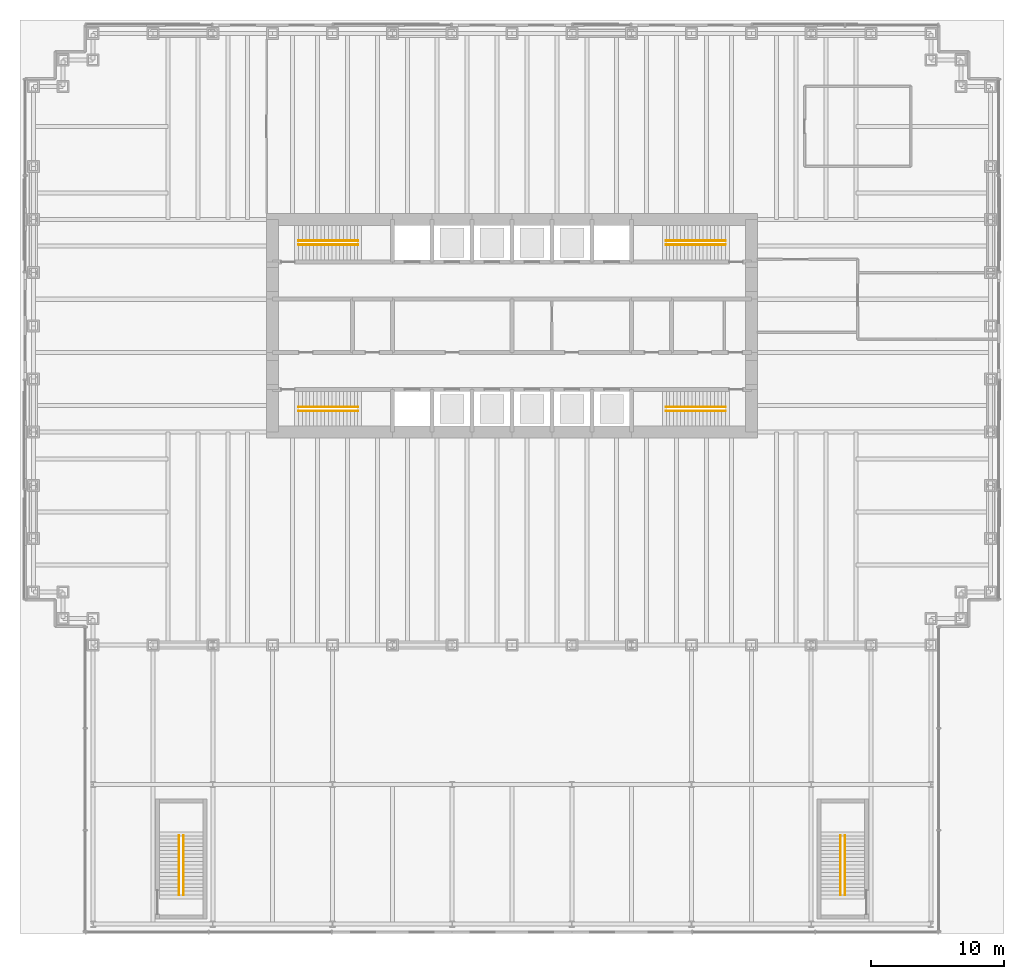
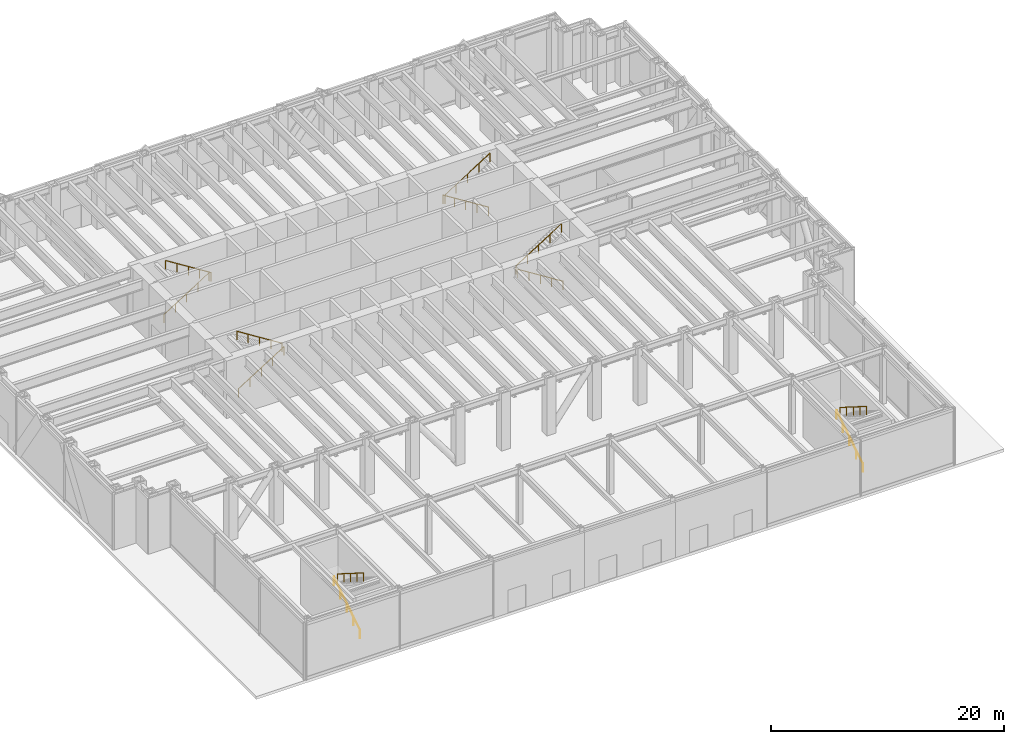
# One storey, part 16 of 17: 12 railings.
"""IFC4 building model written with IfcOpenShell, lengths in metres."""

from ifc_helpers import new_model, si_unit, direction, frame, origin, origin_2d, place, context, subcontext, project, spatial, circle, extrude, material, type_object, element, save


model = new_model("IFC4")

# Units and contexts
model_context = context("Model", 3, precision=1e-05, world=origin(), true_north=direction((0.0, 1.0)))
body_context = subcontext(model_context, "Body", "Model", "MODEL_VIEW")
ifc_project = project(units=[si_unit("LENGTHUNIT", "METRE"), si_unit("AREAUNIT", "SQUARE_METRE"), si_unit("VOLUMEUNIT", "CUBIC_METRE"), si_unit("PLANEANGLEUNIT", "RADIAN"), si_unit("MASSUNIT", "GRAM", prefix="KILO")], contexts=[model_context])

# Site, building, storey
site_placement = place(None, origin())
site = spatial("IfcSite", under=ifc_project, at=site_placement, CompositionType="ELEMENT")
building_placement = place(site_placement, origin())
building = spatial("IfcBuilding", under=site, at=building_placement, Name="Rheinbord Bourse Tower", CompositionType="ELEMENT")
storey_placement = place(building_placement, origin())
storey = spatial("IfcBuildingStorey", under=building, at=storey_placement, Name="L00", CompositionType="ELEMENT", Elevation=0.0)

# Railings
ifc_material = material(Name="Steel handrail", Category="steel")
railing_type = type_object("IfcRailingType", Name="HANDRAIL 900", PredefinedType="HANDRAIL", material=ifc_material)
railing_1_placement = place(storey_placement, frame((19.949951171875, 17.60009765625, 0.176025390625)))
element("IfcRailing", 1, at=railing_1_placement, inside=storey, type_object=railing_type, Name="Handrail", PredefinedType="HANDRAIL", context=body_context, shape_type="SweptSolid", body=[
    extrude(circle(Radius=0.02392578125, at=origin_2d()), frame((0.0, 0.0, 0.8759765625), z_axis=(0.845956345692, 0.0, 0.533252155347), x_axis=(0.0, 1.0, 0.0)), (0.0, 0.0, 1.0), 5.295654296875),
    extrude(circle(Radius=0.02099609375, at=origin_2d()), origin(), (0.0, 0.0, 1.0), 0.851806640625),
    extrude(circle(Radius=0.02099609375, at=origin_2d()), frame((1.1201171875, 0.0, 0.7060546875)), (0.0, 0.0, 1.0), 0.851806640625),
    extrude(circle(Radius=0.02099609375, at=origin_2d()), frame((2.239990234375, 0.0, 1.412109375)), (0.0, 0.0, 1.0), 0.851806640625),
    extrude(circle(Radius=0.02099609375, at=origin_2d()), frame((3.35986328125, 0.0, 2.117919921875)), (0.0, 0.0, 1.0), 0.851806640625),
    extrude(circle(Radius=0.02099609375, at=origin_2d()), frame((4.47998046875, 0.0, 2.823974609375)), (0.0, 0.0, 1.0), 0.851806640625),
])
railing_2_placement = place(storey_placement, frame((24.429931640625, 17.89990234375, 3.176025390625)))
element("IfcRailing", 2, at=railing_2_placement, inside=storey, type_object=railing_type, Name="Handrail", PredefinedType="HANDRAIL", context=body_context, shape_type="SweptSolid", body=[
    extrude(circle(Radius=0.02392578125, at=origin_2d()), frame((0.0, 0.0, 0.8759765625), z_axis=(-0.845956345692, 0.0, 0.533252155347), x_axis=(0.0, -1.0, 0.0)), (0.0, 0.0, 1.0), 5.295654296875),
    extrude(circle(Radius=0.02099609375, at=origin_2d()), origin(), (0.0, 0.0, 1.0), 0.851806640625),
    extrude(circle(Radius=0.02099609375, at=origin_2d()), frame((-1.1201171875, 0.0, 0.7060546875)), (0.0, 0.0, 1.0), 0.851806640625),
    extrude(circle(Radius=0.02099609375, at=origin_2d()), frame((-2.239990234375, 0.0, 1.412109375)), (0.0, 0.0, 1.0), 0.851806640625),
    extrude(circle(Radius=0.02099609375, at=origin_2d()), frame((-3.35986328125, 0.0, 2.117919921875)), (0.0, 0.0, 1.0), 0.851806640625),
    extrude(circle(Radius=0.02099609375, at=origin_2d()), frame((-4.47998046875, 0.0, 2.823974609375)), (0.0, 0.0, 1.0), 0.851806640625),
])
railing_3_placement = place(storey_placement, frame((19.949951171875, 30.39990234375, 0.176025390625)))
element("IfcRailing", 3, at=railing_3_placement, inside=storey, type_object=railing_type, Name="Handrail", PredefinedType="HANDRAIL", context=body_context, shape_type="SweptSolid", body=[
    extrude(circle(Radius=0.02392578125, at=origin_2d()), frame((0.0, 0.0, 0.8759765625), z_axis=(0.845956345692, 0.0, 0.533252155347), x_axis=(0.0, 1.0, 0.0)), (0.0, 0.0, 1.0), 5.295654296875),
    extrude(circle(Radius=0.02099609375, at=origin_2d()), origin(), (0.0, 0.0, 1.0), 0.851806640625),
    extrude(circle(Radius=0.02099609375, at=origin_2d()), frame((1.1201171875, 0.0, 0.7060546875)), (0.0, 0.0, 1.0), 0.851806640625),
    extrude(circle(Radius=0.02099609375, at=origin_2d()), frame((2.239990234375, 0.0, 1.412109375)), (0.0, 0.0, 1.0), 0.851806640625),
    extrude(circle(Radius=0.02099609375, at=origin_2d()), frame((3.35986328125, 0.0, 2.117919921875)), (0.0, 0.0, 1.0), 0.851806640625),
    extrude(circle(Radius=0.02099609375, at=origin_2d()), frame((4.47998046875, 0.0, 2.823974609375)), (0.0, 0.0, 1.0), 0.851806640625),
])
for number, where, name in (
    (4, (24.429931640625, 30.10009765625, 3.176025390625), "Handrail"),
    (5, (52.050048828125, 17.60009765625, 0.176025390625), "Handrail"),
):
    element("IfcRailing", number, at=place(storey_placement, frame(where)), inside=storey, type_object=railing_type, Name=name, PredefinedType="HANDRAIL", context=body_context, shape_type="SweptSolid", body=[
        extrude(circle(Radius=0.02392578125, at=origin_2d()), frame((0.0, 0.0, 0.8759765625), z_axis=(-0.845956345692, 0.0, 0.533252155347), x_axis=(0.0, -1.0, 0.0)), (0.0, 0.0, 1.0), 5.295654296875),
        extrude(circle(Radius=0.02099609375, at=origin_2d()), origin(), (0.0, 0.0, 1.0), 0.851806640625),
        extrude(circle(Radius=0.02099609375, at=origin_2d()), frame((-1.1201171875, 0.0, 0.7060546875)), (0.0, 0.0, 1.0), 0.851806640625),
        extrude(circle(Radius=0.02099609375, at=origin_2d()), frame((-2.239990234375, 0.0, 1.412109375)), (0.0, 0.0, 1.0), 0.851806640625),
        extrude(circle(Radius=0.02099609375, at=origin_2d()), frame((-3.35986328125, 0.0, 2.117919921875)), (0.0, 0.0, 1.0), 0.851806640625),
        extrude(circle(Radius=0.02099609375, at=origin_2d()), frame((-4.47998046875, 0.0, 2.823974609375)), (0.0, 0.0, 1.0), 0.851806640625),
    ])
railing_4_placement = place(storey_placement, frame((47.570068359375, 17.89990234375, 3.176025390625)))
element("IfcRailing", 6, at=railing_4_placement, inside=storey, type_object=railing_type, Name="Handrail", PredefinedType="HANDRAIL", context=body_context, shape_type="SweptSolid", body=[
    extrude(circle(Radius=0.02392578125, at=origin_2d()), frame((0.0, 0.0, 0.8759765625), z_axis=(0.845956345692, 0.0, 0.533252155347), x_axis=(0.0, 1.0, 0.0)), (0.0, 0.0, 1.0), 5.295654296875),
    extrude(circle(Radius=0.02099609375, at=origin_2d()), origin(), (0.0, 0.0, 1.0), 0.851806640625),
    extrude(circle(Radius=0.02099609375, at=origin_2d()), frame((1.1201171875, 0.0, 0.7060546875)), (0.0, 0.0, 1.0), 0.851806640625),
    extrude(circle(Radius=0.02099609375, at=origin_2d()), frame((2.239990234375, 0.0, 1.412109375)), (0.0, 0.0, 1.0), 0.851806640625),
    extrude(circle(Radius=0.02099609375, at=origin_2d()), frame((3.35986328125, 0.0, 2.117919921875)), (0.0, 0.0, 1.0), 0.851806640625),
    extrude(circle(Radius=0.02099609375, at=origin_2d()), frame((4.47998046875, 0.0, 2.823974609375)), (0.0, 0.0, 1.0), 0.851806640625),
])
railing_5_placement = place(storey_placement, frame((52.050048828125, 30.39990234375, 0.176025390625)))
element("IfcRailing", 7, at=railing_5_placement, inside=storey, type_object=railing_type, Name="Handrail", PredefinedType="HANDRAIL", context=body_context, shape_type="SweptSolid", body=[
    extrude(circle(Radius=0.02392578125, at=origin_2d()), frame((0.0, 0.0, 0.8759765625), z_axis=(-0.845956345692, 0.0, 0.533252155347), x_axis=(0.0, -1.0, 0.0)), (0.0, 0.0, 1.0), 5.295654296875),
    extrude(circle(Radius=0.02099609375, at=origin_2d()), origin(), (0.0, 0.0, 1.0), 0.851806640625),
    extrude(circle(Radius=0.02099609375, at=origin_2d()), frame((-1.1201171875, 0.0, 0.7060546875)), (0.0, 0.0, 1.0), 0.851806640625),
    extrude(circle(Radius=0.02099609375, at=origin_2d()), frame((-2.239990234375, 0.0, 1.412109375)), (0.0, 0.0, 1.0), 0.851806640625),
    extrude(circle(Radius=0.02099609375, at=origin_2d()), frame((-3.35986328125, 0.0, 2.117919921875)), (0.0, 0.0, 1.0), 0.851806640625),
    extrude(circle(Radius=0.02099609375, at=origin_2d()), frame((-4.47998046875, 0.0, 2.823974609375)), (0.0, 0.0, 1.0), 0.851806640625),
])
railing_6_placement = place(storey_placement, frame((47.570068359375, 30.10009765625, 3.176025390625)))
element("IfcRailing", 8, at=railing_6_placement, inside=storey, type_object=railing_type, Name="Handrail", PredefinedType="HANDRAIL", context=body_context, shape_type="SweptSolid", body=[
    extrude(circle(Radius=0.02392578125, at=origin_2d()), frame((0.0, 0.0, 0.8759765625), z_axis=(0.845956345692, 0.0, 0.533252155347), x_axis=(0.0, 1.0, 0.0)), (0.0, 0.0, 1.0), 5.295654296875),
    extrude(circle(Radius=0.02099609375, at=origin_2d()), origin(), (0.0, 0.0, 1.0), 0.851806640625),
    extrude(circle(Radius=0.02099609375, at=origin_2d()), frame((1.1201171875, 0.0, 0.7060546875)), (0.0, 0.0, 1.0), 0.851806640625),
    extrude(circle(Radius=0.02099609375, at=origin_2d()), frame((2.239990234375, 0.0, 1.412109375)), (0.0, 0.0, 1.0), 0.851806640625),
    extrude(circle(Radius=0.02099609375, at=origin_2d()), frame((3.35986328125, 0.0, 2.117919921875)), (0.0, 0.0, 1.0), 0.851806640625),
    extrude(circle(Radius=0.02099609375, at=origin_2d()), frame((4.47998046875, 0.0, 2.823974609375)), (0.0, 0.0, 1.0), 0.851806640625),
])
railing_7_placement = place(storey_placement, frame((10.949951171875, -18.800048828125, 0.176025390625)))
element("IfcRailing", 9, at=railing_7_placement, inside=storey, type_object=railing_type, Name="Handrail", PredefinedType="HANDRAIL", context=body_context, shape_type="SweptSolid", body=[
    extrude(circle(Radius=0.02392578125, at=origin_2d()), frame((0.0, 0.0, 0.8759765625), z_axis=(0.0, 0.845956345692, 0.533252155347), x_axis=(-1.0, 0.0, 0.0)), (0.0, 0.0, 1.0), 5.295654296875),
    extrude(circle(Radius=0.02099609375, at=origin_2d()), origin(), (0.0, 0.0, 1.0), 0.851806640625),
    extrude(circle(Radius=0.02099609375, at=origin_2d()), frame((0.0, 1.1201171875, 0.7060546875)), (0.0, 0.0, 1.0), 0.851806640625),
    extrude(circle(Radius=0.02099609375, at=origin_2d()), frame((0.0, 2.239990234375, 1.412109375)), (0.0, 0.0, 1.0), 0.851806640625),
    extrude(circle(Radius=0.02099609375, at=origin_2d()), frame((0.0, 3.35986328125, 2.117919921875)), (0.0, 0.0, 1.0), 0.851806640625),
    extrude(circle(Radius=0.02099609375, at=origin_2d()), frame((0.0, 4.47998046875, 2.823974609375)), (0.0, 0.0, 1.0), 0.851806640625),
])
railing_8_placement = place(storey_placement, frame((11.300048828125, -14.320068359375, 3.176025390625)))
element("IfcRailing", 10, at=railing_8_placement, inside=storey, type_object=railing_type, Name="Handrail", PredefinedType="HANDRAIL", context=body_context, shape_type="SweptSolid", body=[
    extrude(circle(Radius=0.02392578125, at=origin_2d()), frame((0.0, 0.0, 0.8759765625), z_axis=(0.0, -0.845956345692, 0.533252155347), x_axis=(1.0, 0.0, 0.0)), (0.0, 0.0, 1.0), 5.295654296875),
    extrude(circle(Radius=0.02099609375, at=origin_2d()), origin(), (0.0, 0.0, 1.0), 0.851806640625),
    extrude(circle(Radius=0.02099609375, at=origin_2d()), frame((0.0, -1.1201171875, 0.7060546875)), (0.0, 0.0, 1.0), 0.851806640625),
    extrude(circle(Radius=0.02099609375, at=origin_2d()), frame((0.0, -2.239990234375, 1.412109375)), (0.0, 0.0, 1.0), 0.851806640625),
    extrude(circle(Radius=0.02099609375, at=origin_2d()), frame((0.0, -3.35986328125, 2.117919921875)), (0.0, 0.0, 1.0), 0.851806640625),
    extrude(circle(Radius=0.02099609375, at=origin_2d()), frame((0.0, -4.47998046875, 2.823974609375)), (0.0, 0.0, 1.0), 0.851806640625),
])
railing_9_placement = place(storey_placement, frame((60.699951171875, -18.800048828125, 0.176025390625)))
element("IfcRailing", 11, at=railing_9_placement, inside=storey, type_object=railing_type, Name="Handrail", PredefinedType="HANDRAIL", context=body_context, shape_type="SweptSolid", body=[
    extrude(circle(Radius=0.02392578125, at=origin_2d()), frame((0.0, 0.0, 0.8759765625), z_axis=(0.0, 0.845956345692, 0.533252155347), x_axis=(-1.0, 0.0, 0.0)), (0.0, 0.0, 1.0), 5.295654296875),
    extrude(circle(Radius=0.02099609375, at=origin_2d()), origin(), (0.0, 0.0, 1.0), 0.851806640625),
    extrude(circle(Radius=0.02099609375, at=origin_2d()), frame((0.0, 1.1201171875, 0.7060546875)), (0.0, 0.0, 1.0), 0.851806640625),
    extrude(circle(Radius=0.02099609375, at=origin_2d()), frame((0.0, 2.239990234375, 1.412109375)), (0.0, 0.0, 1.0), 0.851806640625),
    extrude(circle(Radius=0.02099609375, at=origin_2d()), frame((0.0, 3.35986328125, 2.117919921875)), (0.0, 0.0, 1.0), 0.851806640625),
    extrude(circle(Radius=0.02099609375, at=origin_2d()), frame((0.0, 4.47998046875, 2.823974609375)), (0.0, 0.0, 1.0), 0.851806640625),
])
railing_10_placement = place(storey_placement, frame((61.050048828125, -14.320068359375, 3.176025390625)))
element("IfcRailing", 12, at=railing_10_placement, inside=storey, type_object=railing_type, Name="Handrail", PredefinedType="HANDRAIL", context=body_context, shape_type="SweptSolid", body=[
    extrude(circle(Radius=0.02392578125, at=origin_2d()), frame((0.0, 0.0, 0.8759765625), z_axis=(0.0, -0.845956345692, 0.533252155347), x_axis=(1.0, 0.0, 0.0)), (0.0, 0.0, 1.0), 5.295654296875),
    extrude(circle(Radius=0.02099609375, at=origin_2d()), origin(), (0.0, 0.0, 1.0), 0.851806640625),
    extrude(circle(Radius=0.02099609375, at=origin_2d()), frame((0.0, -1.1201171875, 0.7060546875)), (0.0, 0.0, 1.0), 0.851806640625),
    extrude(circle(Radius=0.02099609375, at=origin_2d()), frame((0.0, -2.239990234375, 1.412109375)), (0.0, 0.0, 1.0), 0.851806640625),
    extrude(circle(Radius=0.02099609375, at=origin_2d()), frame((0.0, -3.35986328125, 2.117919921875)), (0.0, 0.0, 1.0), 0.851806640625),
    extrude(circle(Radius=0.02099609375, at=origin_2d()), frame((0.0, -4.47998046875, 2.823974609375)), (0.0, 0.0, 1.0), 0.851806640625),
])

save(model, "model.ifc")
